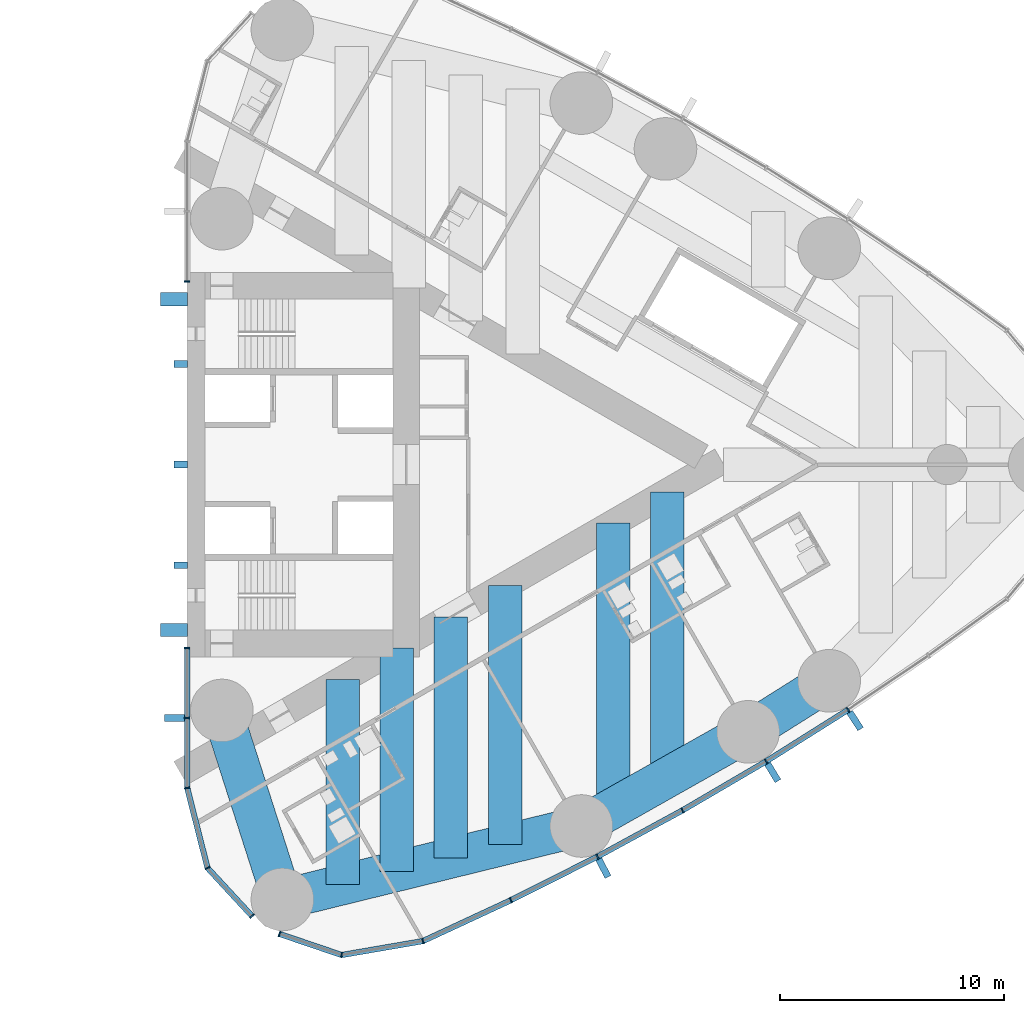
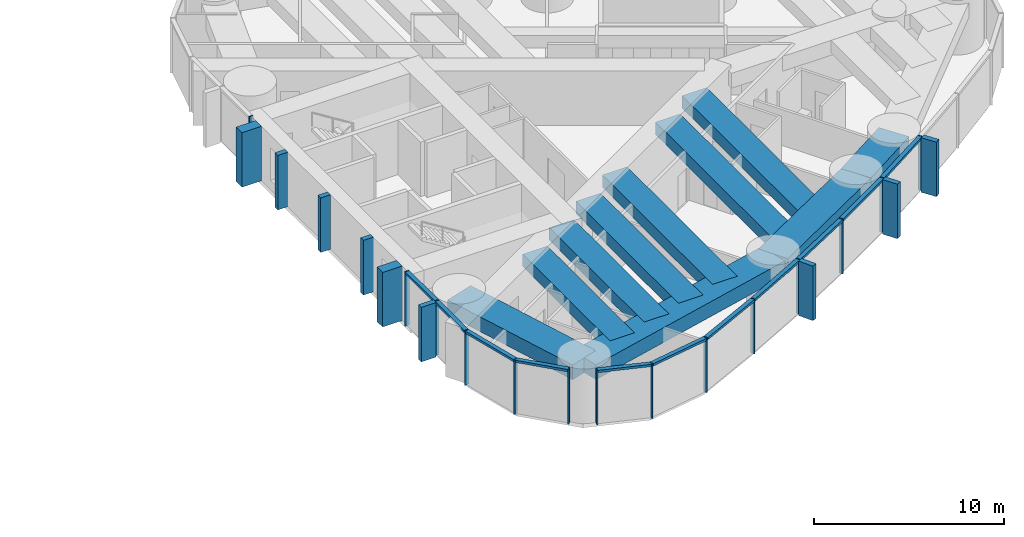
# One storey, part 6 of 19: 34 members, 10 beams, 3 elements without a shape of their own.
"""IFC4 building model written with IfcOpenShell, lengths in metres."""

import ifcopenshell
import ifcopenshell.guid

model = None  # the IFC model being written
_history = None  # IfcOwnerHistory: only IFC2X3 demands one
_inside = {}  # id of a spatial element -> (the spatial element, [elements in it])
_under = {}  # id of a project, library or spatial element -> (it, [spatial elements below it])
_declared = {}  # id of a project -> (the project, [libraries it declares])
_typed = {}  # id of a type object -> (the type object, [elements of that type])
_made_of = {}  # id of a material, layer set ... -> (it, [elements and type objects made of it])


def new_model(schema):
    """Start an empty IFC model of exactly this schema.

    Asked for "IFC4X3", IfcOpenShell would pick the latest addendum, in which some entities
    have other attributes; the version numbers below select the first issue.
    IFC2X3 requires an IfcOwnerHistory on every rooted entity: one is made here for all.
    """
    global model, _history
    if schema == "IFC4X3":
        model = ifcopenshell.file(schema_version=(4, 3, 0, 0))
    else:
        model = ifcopenshell.file(schema=schema)
    _inside.clear()
    _under.clear()
    _declared.clear()
    _typed.clear()
    _made_of.clear()
    _history = None
    if model.schema == "IFC2X3":
        org = make("IfcOrganization", Name="unknown")
        user = make(
            "IfcPersonAndOrganization",
            ThePerson=make("IfcPerson", FamilyName="unknown"),
            TheOrganization=org,
        )
        app = make(
            "IfcApplication",
            ApplicationDeveloper=org,
            Version="unknown",
            ApplicationFullName="unknown",
            ApplicationIdentifier="unknown",
        )
        _history = make(
            "IfcOwnerHistory",
            OwningUser=user,
            OwningApplication=app,
            ChangeAction="ADDED",
            CreationDate=0,
        )
    return model


def make(cls, **values):
    """One entity of the class cls with the attributes given. An attribute that is None is left unset."""
    return model.create_entity(
        cls, **{name: value for name, value in values.items() if value is not None}
    )


def rooted(cls, **values):
    """An entity with a GlobalId (a new one), such as an element, a storey or a relation."""
    return make(cls, GlobalId=ifcopenshell.guid.new(), OwnerHistory=_history, **values)


def si_unit(unit_type, name, prefix=None):
    """IfcSIUnit, for example si_unit("LENGTHUNIT", "METRE", prefix="MILLI")."""
    return make("IfcSIUnit", UnitType=unit_type, Prefix=prefix, Name=name)


def assignment(units):
    """IfcUnitAssignment: the units of a project."""
    return None if units is None else make("IfcUnitAssignment", Units=units)


def point(xyz):
    """IfcCartesianPoint."""
    return None if xyz is None else make("IfcCartesianPoint", Coordinates=xyz)


def direction(xyz):
    """IfcDirection."""
    return None if xyz is None else make("IfcDirection", DirectionRatios=xyz)


def frame(location, z_axis=None, x_axis=None):
    """IfcAxis2Placement3D, a coordinate frame: its origin and axes. An axis left out is left unset."""
    return make(
        "IfcAxis2Placement3D",
        Location=point(location),
        Axis=direction(z_axis),
        RefDirection=direction(x_axis),
    )


def frame_2d(location, x_axis=None):
    """IfcAxis2Placement2D, a coordinate frame in the plane: its origin and x axis."""
    return make(
        "IfcAxis2Placement2D", Location=point(location), RefDirection=direction(x_axis)
    )


def origin():
    """The frame at (0, 0, 0) with its axes left unset."""
    return frame((0.0, 0.0, 0.0))


def origin_2d():
    """The frame at (0, 0) in the plane with its x axis left unset."""
    return frame_2d((0.0, 0.0))


def place(relative_to, where):
    """IfcLocalPlacement: puts the frame where relative to a parent placement (None: the world)."""
    return make(
        "IfcLocalPlacement", PlacementRelTo=relative_to, RelativePlacement=where
    )


def context(
    kind, dimensions, precision=None, world=None, true_north=None, identifier=None
):
    """IfcGeometricRepresentationContext, for example the 3D "Model" context."""
    return make(
        "IfcGeometricRepresentationContext",
        ContextIdentifier=identifier,
        ContextType=kind,
        CoordinateSpaceDimension=dimensions,
        Precision=precision,
        WorldCoordinateSystem=world,
        TrueNorth=true_north,
    )


def subcontext(parent, identifier, kind, view, scale=None):
    """IfcGeometricRepresentationSubContext, for example "Body" below "Model"."""
    return make(
        "IfcGeometricRepresentationSubContext",
        ContextIdentifier=identifier,
        ContextType=kind,
        ParentContext=parent,
        TargetScale=scale,
        TargetView=view,
    )


def project(units=None, contexts=None):
    """IfcProject with its units and contexts."""
    return rooted(
        "IfcProject",
        Name="project",
        RepresentationContexts=contexts,
        UnitsInContext=assignment(units),
    )


def spatial(cls, under=None, at=None, **own):
    """A site, building, storey or space (cls), placed at a placement, below another one or the project."""
    s = rooted(cls, ObjectPlacement=at, **own)
    if under is not None:
        _under.setdefault(under.id(), (under, []))[1].append(s)
    return s


def profile(cls, at=None, kind="AREA", **sizes):
    """A parametric profile (cls). Its sizes go by their IFC names, for example OverallWidth=200.0."""
    return make(cls, ProfileType=kind, Position=at, **sizes)


def rectangle(**sizes):
    """IfcRectangleProfileDef."""
    return profile("IfcRectangleProfileDef", **sizes)


def extrude(swept, where, along, depth):
    """IfcExtrudedAreaSolid: the profile swept, set in the frame where, extruded along a direction by depth."""
    return make(
        "IfcExtrudedAreaSolid",
        SweptArea=swept,
        Position=where,
        ExtrudedDirection=direction(along),
        Depth=depth,
    )


def shape(context_of_items, identifier, shape_type, items):
    """IfcShapeRepresentation: the items that make up one representation, for example the "Body"."""
    return make(
        "IfcShapeRepresentation",
        ContextOfItems=context_of_items,
        RepresentationIdentifier=identifier,
        RepresentationType=shape_type,
        Items=items,
    )


def material(Name=None, Category=None):
    """IfcMaterial."""
    return make("IfcMaterial", Name=Name, Category=Category)


def material_profile(
    of_material, cross_section, Name=None, Category=None, Priority=None
):
    """IfcMaterialProfile: a cross section and its material."""
    return make(
        "IfcMaterialProfile",
        Name=Name,
        Material=of_material,
        Profile=cross_section,
        Priority=Priority,
        Category=Category,
    )


def profile_set(profiles, Name=None, composite=None):
    """IfcMaterialProfileSet."""
    return make(
        "IfcMaterialProfileSet",
        Name=Name,
        MaterialProfiles=profiles,
        CompositeProfile=composite,
    )


def made_of(thing, what):
    """Note that an element or type object is made of a material, layer set ...; save() writes the relation."""
    if what is not None:
        _made_of.setdefault(what.id(), (what, []))[1].append(thing)
    return thing


def type_object(cls, material=None, **own):
    """A type object (cls), such as IfcWallType, which elements share."""
    return made_of(rooted(cls, **own), material)


def element(
    cls,
    number,
    at=None,
    inside=None,
    cuts=None,
    type_object=None,
    material=None,
    context=None,
    identifier="Body",
    shape_type=None,
    held_by="IfcProductDefinitionShape",
    body=None,
    shapes=None,
    **own,
):
    """One element of the class cls, such as IfcWall. Its Tag is "e" and its number.

    at: its placement. inside: the storey or other place that contains it. cuts: it is an
    opening in that element (IfcRelVoidsElement). A single representation is given by context,
    identifier, shape_type and body (its items); several are given by shapes. held_by: the class
    of the entity that holds the representations. save() writes the other relations.
    """
    e = rooted(cls, Tag="e%d" % number, ObjectPlacement=at, **own)
    if body is not None:
        shapes = [shape(context, identifier, shape_type, body)]
    if shapes is not None:
        e.Representation = make(held_by, Representations=shapes)
    if inside is not None:
        _inside.setdefault(inside.id(), (inside, []))[1].append(e)
    if cuts is not None:
        rooted(
            "IfcRelVoidsElement", RelatingBuildingElement=cuts, RelatedOpeningElement=e
        )
    if type_object is not None:
        _typed.setdefault(type_object.id(), (type_object, []))[1].append(e)
    return made_of(e, material)


def aggregate(whole, parts):
    """IfcRelAggregates: a whole, such as a stair, and the parts it consists of."""
    return rooted("IfcRelAggregates", RelatingObject=whole, RelatedObjects=parts)


def save(model, path):
    """Write the relations noted so far, then the file.

    IfcRelAggregates (storeys below a building ...), IfcRelContainedInSpatialStructure (elements
    in a storey), IfcRelDefinesByType, IfcRelAssociatesMaterial and IfcRelDeclares: one each for
    every whole, place, type object, material and project.
    """
    for whole, parts in _under.values():
        aggregate(whole, parts)
    for where, things in _inside.values():
        rooted(
            "IfcRelContainedInSpatialStructure",
            RelatedElements=things,
            RelatingStructure=where,
        )
    for kind, things in _typed.values():
        rooted("IfcRelDefinesByType", RelatedObjects=things, RelatingType=kind)
    for what, things in _made_of.values():
        rooted("IfcRelAssociatesMaterial", RelatedObjects=things, RelatingMaterial=what)
    for by, libraries in _declared.values():
        rooted("IfcRelDeclares", RelatingContext=by, RelatedDefinitions=libraries)
    model.write(path)


model = new_model("IFC4")

# Units and contexts
model_context = context("Model", 3, precision=1e-05, world=origin(), true_north=direction((0.0, 1.0)))
body_context = subcontext(model_context, "Body", "Model", "MODEL_VIEW")
ifc_project = project(units=[si_unit("LENGTHUNIT", "METRE"), si_unit("AREAUNIT", "SQUARE_METRE"), si_unit("VOLUMEUNIT", "CUBIC_METRE"), si_unit("PLANEANGLEUNIT", "RADIAN"), si_unit("MASSUNIT", "GRAM", prefix="KILO")], contexts=[model_context])

# Site, building, storey
site_placement = place(None, origin())
site = spatial("IfcSite", under=ifc_project, at=site_placement, CompositionType="ELEMENT")
building_placement = place(site_placement, origin())
building = spatial("IfcBuilding", under=site, at=building_placement, Name="Lancet Gate Hotel", CompositionType="ELEMENT")
storey_placement = place(building_placement, frame((0.0, 0.0, 170.300048828125)))
storey = spatial("IfcBuildingStorey", under=building, at=storey_placement, Name="L45", CompositionType="ELEMENT", Elevation=170.300048828125)

# Curtain wall, members
ifc_material_1 = material(Name="Aluminium curtain wall", Category="aluminium")
curtain_wall_type = type_object("IfcCurtainWallType", Name="Tower unitised curtain wall", PredefinedType="USERDEFINED", material=ifc_material_1)
curtain_wall_1_placement = place(storey_placement, origin())
curtain_wall_1 = element("IfcCurtainWall", 1, at=curtain_wall_1_placement, inside=storey, type_object=curtain_wall_type, Name="T2 L45 curtain wall 1", ObjectType="UNITISED CURTAIN WALL", PredefinedType="USERDEFINED")
ifc_material_2 = material(Name="Aluminium mullion", Category="aluminium")
ifc_material_profile_1 = material_profile(ifc_material_2, rectangle(XDim=0.06494140625, YDim=0.25, at=origin_2d()), Name="MULLION 65x250")
ifc_profile_set_1 = profile_set([ifc_material_profile_1], Name="Aluminium mullion")
member_type_1 = type_object("IfcMemberType", Name="Aluminium mullion 65x250", PredefinedType="MULLION", material=ifc_profile_set_1)
member_1_placement = place(storey_placement, frame((27.5, -8.199951171875, 0.0), z_axis=(0.0, 0.0, 1.0), x_axis=(0.0, -1.0, 0.0)))
member_1 = element("IfcMember", 2, at=member_1_placement, type_object=member_type_1, Name="T2 L45 curtain wall 1 mullion 1", PredefinedType="MULLION", context=body_context, shape_type="SweptSolid", body=[
    extrude(rectangle(XDim=0.06494140625, YDim=0.25, at=origin_2d()), origin(), (0.0, 0.0, 1.0), 3.5),
])
member_2_placement = place(storey_placement, frame((27.5, -11.332763671875, 0.0), z_axis=(0.0, 0.0, 1.0), x_axis=(0.0, -1.0, 0.0)))
member_2 = element("IfcMember", 3, at=member_2_placement, type_object=member_type_1, Name="T2 L45 curtain wall 1 mullion 2", PredefinedType="MULLION", context=body_context, shape_type="SweptSolid", body=[
    extrude(rectangle(XDim=0.06494140625, YDim=0.25, at=origin_2d()), origin(), (0.0, 0.0, 1.0), 3.5),
])
member_3_placement = place(storey_placement, frame((27.5, -14.465576171875, 0.0), z_axis=(0.0, 0.0, 1.0), x_axis=(0.134206524909, -0.990953383703, 0.0)))
member_3 = element("IfcMember", 4, at=member_3_placement, type_object=member_type_1, Name="T2 L45 curtain wall 1 mullion 3", PredefinedType="MULLION", context=body_context, shape_type="SweptSolid", body=[
    extrude(rectangle(XDim=0.06494140625, YDim=0.25, at=origin_2d()), origin(), (0.0, 0.0, 1.0), 3.5),
])
member_4_placement = place(storey_placement, frame((28.408935546875, -18.04443359375, 0.0), z_axis=(0.0, 0.0, 1.0), x_axis=(0.451505925065, -0.892268120932, 0.0)))
member_4 = element("IfcMember", 5, at=member_4_placement, type_object=member_type_1, Name="T2 L45 curtain wall 1 mullion 4", PredefinedType="MULLION", context=body_context, shape_type="SweptSolid", body=[
    extrude(rectangle(XDim=0.06494140625, YDim=0.25, at=origin_2d()), origin(), (0.0, 0.0, 1.0), 3.5),
])
member_5_placement = place(storey_placement, frame((30.40185546875, -20.199951171875, 0.0), z_axis=(0.0, 0.0, 1.0), x_axis=(0.67883123083, -0.734294327943, 0.0)))
member_5 = element("IfcMember", 6, at=member_5_placement, type_object=member_type_1, Name="T2 L45 curtain wall 1 mullion 5", PredefinedType="MULLION", context=body_context, shape_type="SweptSolid", body=[
    extrude(rectangle(XDim=0.06494140625, YDim=0.25, at=origin_2d()), origin(), (0.0, 0.0, 1.0), 3.5),
])

curtain_wall_2_placement = place(storey_placement, origin())
curtain_wall_2 = element("IfcCurtainWall", 7, at=curtain_wall_2_placement, inside=storey, type_object=curtain_wall_type, Name="T2 L45 curtain wall 2", ObjectType="UNITISED CURTAIN WALL", PredefinedType="USERDEFINED")
member_6_placement = place(storey_placement, frame((31.631591796875, -20.998779296875, 0.0), z_axis=(0.0, 0.0, 1.0), x_axis=(0.946952368511, -0.321373943827, 0.0)))
member_6 = element("IfcMember", 8, at=member_6_placement, type_object=member_type_1, Name="T2 L45 curtain wall 2 mullion 1", PredefinedType="MULLION", context=body_context, shape_type="SweptSolid", body=[
    extrude(rectangle(XDim=0.06494140625, YDim=0.25, at=origin_2d()), origin(), (0.0, 0.0, 1.0), 3.5),
])
member_7_placement = place(storey_placement, frame((34.412109375, -21.9423828125, 0.0), z_axis=(0.0, 0.0, 1.0), x_axis=(0.99877556888, -0.049470829879, 0.0)))
member_7 = element("IfcMember", 9, at=member_7_placement, type_object=member_type_1, Name="T2 L45 curtain wall 2 mullion 2", PredefinedType="MULLION", context=body_context, shape_type="SweptSolid", body=[
    extrude(rectangle(XDim=0.06494140625, YDim=0.25, at=origin_2d()), origin(), (0.0, 0.0, 1.0), 3.5),
])
member_8_placement = place(storey_placement, frame((38.05126953125, -21.31689453125, 0.0), z_axis=(0.0, 0.0, 1.0), x_axis=(0.951355493327, 0.308095318555, 0.0)))
member_8 = element("IfcMember", 10, at=member_8_placement, type_object=member_type_1, Name="T2 L45 curtain wall 2 mullion 3", PredefinedType="MULLION", context=body_context, shape_type="SweptSolid", body=[
    extrude(rectangle(XDim=0.06494140625, YDim=0.25, at=origin_2d()), origin(), (0.0, 0.0, 1.0), 3.5),
])
member_9_placement = place(storey_placement, frame((41.98193359375, -19.490966796875, 0.0), z_axis=(0.0, 0.0, 1.0), x_axis=(0.900141333422, 0.435597956681, 0.0)))
member_9 = element("IfcMember", 11, at=member_9_placement, type_object=member_type_1, Name="T2 L45 curtain wall 2 mullion 4", PredefinedType="MULLION", context=body_context, shape_type="SweptSolid", body=[
    extrude(rectangle(XDim=0.06494140625, YDim=0.25, at=origin_2d()), origin(), (0.0, 0.0, 1.0), 3.5),
])
member_10_placement = place(storey_placement, frame((45.8525390625, -17.54150390625, 0.0), z_axis=(0.0, 0.0, 1.0), x_axis=(0.885877049989, 0.463920092584, 0.0)))
member_10 = element("IfcMember", 12, at=member_10_placement, type_object=member_type_1, Name="T2 L45 curtain wall 2 mullion 5", PredefinedType="MULLION", context=body_context, shape_type="SweptSolid", body=[
    extrude(rectangle(XDim=0.06494140625, YDim=0.25, at=origin_2d()), origin(), (0.0, 0.0, 1.0), 3.5),
])
member_11_placement = place(storey_placement, frame((49.65966796875, -15.47021484375, 0.0), z_axis=(0.0, 0.0, 1.0), x_axis=(0.870721916932, 0.491775704336, 0.0)))
member_11 = element("IfcMember", 13, at=member_11_placement, type_object=member_type_1, Name="T2 L45 curtain wall 2 mullion 6", PredefinedType="MULLION", context=body_context, shape_type="SweptSolid", body=[
    extrude(rectangle(XDim=0.06494140625, YDim=0.25, at=origin_2d()), origin(), (0.0, 0.0, 1.0), 3.5),
])
member_12_placement = place(storey_placement, frame((53.39892578125, -13.279541015625, 0.0), z_axis=(0.0, 0.0, 1.0), x_axis=(0.854691174453, 0.519136779965, 0.0)))
member_12 = element("IfcMember", 14, at=member_12_placement, type_object=member_type_1, Name="T2 L45 curtain wall 2 mullion 7", PredefinedType="MULLION", context=body_context, shape_type="SweptSolid", body=[
    extrude(rectangle(XDim=0.06494140625, YDim=0.25, at=origin_2d()), origin(), (0.0, 0.0, 1.0), 3.5),
])
member_13_placement = place(storey_placement, frame((57.067138671875, -10.970947265625, 0.0), z_axis=(0.0, 0.0, 1.0), x_axis=(0.837800943278, 0.545975804815, 0.0)))
member_13 = element("IfcMember", 15, at=member_13_placement, type_object=member_type_1, Name="T2 L45 curtain wall 2 mullion 8", PredefinedType="MULLION", context=body_context, shape_type="SweptSolid", body=[
    extrude(rectangle(XDim=0.06494140625, YDim=0.25, at=origin_2d()), origin(), (0.0, 0.0, 1.0), 3.5),
])

# Curtain wall, member
curtain_wall_3_placement = place(storey_placement, origin())
curtain_wall_3 = element("IfcCurtainWall", 16, at=curtain_wall_3_placement, inside=storey, type_object=curtain_wall_type, Name="T2 L45 curtain wall 4", ObjectType="UNITISED CURTAIN WALL", PredefinedType="USERDEFINED")
member_14_placement = place(storey_placement, frame((27.5, 8.199951171875, 0.0), z_axis=(0.0, 0.0, 1.0), x_axis=(0.0, -1.0, 0.0)))
member_14 = element("IfcMember", 17, at=member_14_placement, type_object=member_type_1, Name="T2 L45 curtain wall 4 mullion 5", PredefinedType="MULLION", context=body_context, shape_type="SweptSolid", body=[
    extrude(rectangle(XDim=0.06494140625, YDim=0.25, at=origin_2d()), origin(), (0.0, 0.0, 1.0), 3.5),
])
aggregate(curtain_wall_3, [member_14])

# Member
ifc_material_3 = material(Name="Aluminium transom", Category="aluminium")
ifc_material_profile_2 = material_profile(ifc_material_3, rectangle(XDim=0.25, YDim=0.14990234375, at=origin_2d()), Name="TRANSOM 250x150")
ifc_profile_set_2 = profile_set([ifc_material_profile_2], Name="Aluminium transom")
member_type_2 = type_object("IfcMemberType", Name="Aluminium transom 250x150", PredefinedType="USERDEFINED", material=ifc_profile_set_2)
member_15_placement = place(storey_placement, frame((27.5, -8.232421875, 3.425048828125), z_axis=(0.0, -1.0, 0.0), x_axis=(1.0, 0.0, 0.0)))
member_15 = element("IfcMember", 18, at=member_15_placement, type_object=member_type_2, Name="T2 L45 curtain wall 1 transom 1", ObjectType="TRANSOM", PredefinedType="USERDEFINED", context=body_context, shape_type="SweptSolid", body=[
    extrude(rectangle(XDim=0.25, YDim=0.14990234375, at=origin_2d()), origin(), (0.0, 0.0, 1.0), 3.06787109375),
])

member_16_placement = place(storey_placement, frame((27.5, -11.365234375, 3.425048828125), z_axis=(0.0, -1.0, 0.0), x_axis=(1.0, 0.0, 0.0)))
member_16 = element("IfcMember", 19, at=member_16_placement, type_object=member_type_2, Name="T2 L45 curtain wall 1 transom 2", ObjectType="TRANSOM", PredefinedType="USERDEFINED", context=body_context, shape_type="SweptSolid", body=[
    extrude(rectangle(XDim=0.25, YDim=0.14990234375, at=origin_2d()), origin(), (0.0, 0.0, 1.0), 3.06787109375),
])

member_17_placement = place(storey_placement, frame((27.508056640625, -14.4970703125, 3.425048828125), z_axis=(0.246128756616, -0.969237140831, 0.0), x_axis=(0.969237140831, 0.246128756616, 0.0)))
member_17 = element("IfcMember", 20, at=member_17_placement, type_object=member_type_2, Name="T2 L45 curtain wall 1 transom 3", ObjectType="TRANSOM", PredefinedType="USERDEFINED", context=body_context, shape_type="SweptSolid", body=[
    extrude(rectangle(XDim=0.25, YDim=0.14990234375, at=origin_2d()), origin(), (0.0, 0.0, 1.0), 3.62744140625),
])

member_18_placement = place(storey_placement, frame((28.43115234375, -18.068359375, 3.425048828125), z_axis=(0.678792146129, -0.734330458549, 0.0), x_axis=(0.734330458549, 0.678792146129, 0.0)))
member_18 = element("IfcMember", 21, at=member_18_placement, type_object=member_type_2, Name="T2 L45 curtain wall 1 transom 4", ObjectType="TRANSOM", PredefinedType="USERDEFINED", context=body_context, shape_type="SweptSolid", body=[
    extrude(rectangle(XDim=0.25, YDim=0.14990234375, at=origin_2d()), origin(), (0.0, 0.0, 1.0), 2.87060546875),
])

member_19_placement = place(storey_placement, frame((31.662353515625, -21.00927734375, 3.425048828125), z_axis=(0.946943122832, -0.321401185625, 0.0), x_axis=(0.321401185625, 0.946943122832, 0.0)))
member_19 = element("IfcMember", 22, at=member_19_placement, type_object=member_type_2, Name="T2 L45 curtain wall 2 transom 1", ObjectType="TRANSOM", PredefinedType="USERDEFINED", context=body_context, shape_type="SweptSolid", body=[
    extrude(rectangle(XDim=0.25, YDim=0.14990234375, at=origin_2d()), origin(), (0.0, 0.0, 1.0), 2.871337890625),
])

member_20_placement = place(storey_placement, frame((34.444091796875, -21.93701171875, 3.425048828125), z_axis=(0.985536950873, 0.169460669373, 0.0), x_axis=(-0.169460669373, 0.985536950873, 0.0)))
member_20 = element("IfcMember", 23, at=member_20_placement, type_object=member_type_2, Name="T2 L45 curtain wall 2 transom 2", ObjectType="TRANSOM", PredefinedType="USERDEFINED", context=body_context, shape_type="SweptSolid", body=[
    extrude(rectangle(XDim=0.25, YDim=0.14990234375, at=origin_2d()), origin(), (0.0, 0.0, 1.0), 3.627685546875),
])

member_21_placement = place(storey_placement, frame((38.080810546875, -21.30322265625, 3.425048828125), z_axis=(0.906913768492, 0.421316290357, 0.0), x_axis=(-0.421316290357, 0.906913768492, 0.0)))
member_21 = element("IfcMember", 24, at=member_21_placement, type_object=member_type_2, Name="T2 L45 curtain wall 2 transom 3", ObjectType="TRANSOM", PredefinedType="USERDEFINED", context=body_context, shape_type="SweptSolid", body=[
    extrude(rectangle(XDim=0.25, YDim=0.14990234375, at=origin_2d()), origin(), (0.0, 0.0, 1.0), 4.26904296875),
])

member_22_placement = place(storey_placement, frame((42.010986328125, -19.476318359375, 3.425048828125), z_axis=(0.893130969207, 0.449796700571, 0.0), x_axis=(-0.449796700571, 0.893130969207, 0.0)))
member_22 = element("IfcMember", 25, at=member_22_placement, type_object=member_type_2, Name="T2 L45 curtain wall 2 transom 4", ObjectType="TRANSOM", PredefinedType="USERDEFINED", context=body_context, shape_type="SweptSolid", body=[
    extrude(rectangle(XDim=0.25, YDim=0.14990234375, at=origin_2d()), origin(), (0.0, 0.0, 1.0), 4.26904296875),
])

member_23_placement = place(storey_placement, frame((45.881103515625, -17.526123046875, 3.425048828125), z_axis=(0.878404302735, 0.477918278513, 0.0), x_axis=(-0.477918278513, 0.878404302735, 0.0)))
member_23 = element("IfcMember", 26, at=member_23_placement, type_object=member_type_2, Name="T2 L45 curtain wall 2 transom 5", ObjectType="TRANSOM", PredefinedType="USERDEFINED", context=body_context, shape_type="SweptSolid", body=[
    extrude(rectangle(XDim=0.25, YDim=0.14990234375, at=origin_2d()), origin(), (0.0, 0.0, 1.0), 4.26904296875),
])

member_24_placement = place(storey_placement, frame((49.687744140625, -15.453857421875, 3.425048828125), z_axis=(0.862825279032, 0.505502262966, 0.0), x_axis=(-0.505502262966, 0.862825279032, 0.0)))
member_24 = element("IfcMember", 27, at=member_24_placement, type_object=member_type_2, Name="T2 L45 curtain wall 2 transom 6", ObjectType="TRANSOM", PredefinedType="USERDEFINED", context=body_context, shape_type="SweptSolid", body=[
    extrude(rectangle(XDim=0.25, YDim=0.14990234375, at=origin_2d()), origin(), (0.0, 0.0, 1.0), 4.26904296875),
])

member_25_placement = place(storey_placement, frame((53.426513671875, -13.26220703125, 3.425048828125), z_axis=(0.846333101657, 0.532653997488, 0.0), x_axis=(-0.532653997488, 0.846333101657, 0.0)))
member_25 = element("IfcMember", 28, at=member_25_placement, type_object=member_type_2, Name="T2 L45 curtain wall 2 transom 7", ObjectType="TRANSOM", PredefinedType="USERDEFINED", context=body_context, shape_type="SweptSolid", body=[
    extrude(rectangle(XDim=0.25, YDim=0.14990234375, at=origin_2d()), origin(), (0.0, 0.0, 1.0), 4.26904296875),
])

# Beams
ifc_material_4 = material(Name="Concrete C50/60", Category="concrete")
ifc_material_profile_3 = material_profile(ifc_material_4, rectangle(XDim=1.800048828125, YDim=0.949951171875, at=origin_2d()), Name="RC 1800x950")
ifc_profile_set_3 = profile_set([ifc_material_profile_3], Name="Concrete C50/60")
beam_type_1 = type_object("IfcBeamType", Name="Edge beam RC 1800x950", PredefinedType="SPANDREL", material=ifc_profile_set_3)
beam_1_placement = place(storey_placement, frame((31.759765625, -19.455810546875, 2.77490234375), z_axis=(0.971093253227, 0.238700426344, 0.0), x_axis=(-0.238700426344, 0.971093253227, 0.0)))
element("IfcBeam", 29, at=beam_1_placement, inside=storey, type_object=beam_type_1, Name="T2 edge beam EB1 L45", PredefinedType="SPANDREL", context=body_context, shape_type="SweptSolid", body=[
    extrude(rectangle(XDim=1.800048828125, YDim=0.949951171875, at=origin_2d()), origin(), (0.0, 0.0, 1.0), 13.77197265625),
])
beam_2_placement = place(storey_placement, frame((45.133544921875, -16.16845703125, 2.77490234375), z_axis=(0.870721990329, 0.491775574381, 0.0), x_axis=(-0.491775574381, 0.870721990329, 0.0)))
element("IfcBeam", 30, at=beam_2_placement, inside=storey, type_object=beam_type_1, Name="T2 edge beam EB1 L45", PredefinedType="SPANDREL", context=body_context, shape_type="SweptSolid", body=[
    extrude(rectangle(XDim=1.800048828125, YDim=0.949951171875, at=origin_2d()), origin(), (0.0, 0.0, 1.0), 8.568603515625),
])
beam_3_placement = place(storey_placement, frame((52.594482421875, -11.95458984375, 2.77490234375), z_axis=(0.846348902569, 0.532628890617, 0.0), x_axis=(-0.532628890617, 0.846348902569, 0.0)))
element("IfcBeam", 31, at=beam_3_placement, inside=storey, type_object=beam_type_1, Name="T2 edge beam EB1 L45", PredefinedType="SPANDREL", context=body_context, shape_type="SweptSolid", body=[
    extrude(rectangle(XDim=1.800048828125, YDim=0.949951171875, at=origin_2d()), origin(), (0.0, 0.0, 1.0), 4.284912109375),
])
beam_4_placement = place(storey_placement, frame((31.759765625, -19.455810546875, 2.77490234375), z_axis=(-0.305169772986, 0.952297962644, 0.0), x_axis=(-0.952297962644, -0.305169772986, 0.0)))
element("IfcBeam", 32, at=beam_4_placement, inside=storey, type_object=beam_type_1, Name="T2 edge beam EB1 L45", PredefinedType="SPANDREL", context=body_context, shape_type="SweptSolid", body=[
    extrude(rectangle(XDim=1.800048828125, YDim=0.949951171875, at=origin_2d()), origin(), (0.0, 0.0, 1.0), 8.87939453125),
])

# Members
ifc_material_5 = material(Name="Concrete C60/75", Category="concrete")
ifc_material_profile_4 = material_profile(ifc_material_5, rectangle(XDim=0.60009765625, YDim=1.199951171875, at=origin_2d()), Name="FIN 600x1200")
ifc_profile_set_4 = profile_set([ifc_material_profile_4], Name="Concrete C60/75")
member_type_3 = type_object("IfcMemberType", Name="Exposed concrete buttress pilaster 600x1200", PredefinedType="USERDEFINED", material=ifc_profile_set_4)
for number, where, z_axis, x_axis, name in (
    (33, (26.909912109375, -7.39990234375, 0.0), (0.0, 0.0, 1.0), (0.0, 1.0, 0.0), "T2 buttress pilaster S L45"),
    (34, (26.909912109375, 7.39990234375, 0.0), (0.0, 0.0, 1.0), (0.0, 1.0, 0.0), "T2 buttress pilaster N L45"),
):
    element("IfcMember", number, at=place(storey_placement, frame(where, z_axis=z_axis, x_axis=x_axis)), inside=storey, type_object=member_type_3, Name=name, ObjectType="FIN", PredefinedType="USERDEFINED", context=body_context, shape_type="SweptSolid", body=[
        extrude(rectangle(XDim=0.60009765625, YDim=1.199951171875, at=origin_2d()), origin(), (0.0, 0.0, 1.0), 3.5),
    ])

# Member
ifc_material_6 = material(Name="Precast concrete C50/60", Category="concrete")
ifc_material_profile_5 = material_profile(ifc_material_6, rectangle(XDim=0.300048828125, YDim=0.89990234375, at=origin_2d()), Name="FIN 300x900")
ifc_profile_set_5 = profile_set([ifc_material_profile_5], Name="Precast concrete C50/60")
member_type_4 = type_object("IfcMemberType", Name="Exposed concrete fin 300x900", PredefinedType="USERDEFINED", material=ifc_profile_set_5)
member_26_placement = place(storey_placement, frame((26.925048828125, -11.332763671875, 0.0), z_axis=(0.0, 0.0, 1.0), x_axis=(0.0, -1.0, 0.0)))
member_26 = element("IfcMember", 35, at=member_26_placement, type_object=member_type_4, Name="T2 L45 curtain wall 1 fin 2", ObjectType="FIN", PredefinedType="USERDEFINED", context=body_context, shape_type="SweptSolid", body=[
    extrude(rectangle(XDim=0.300048828125, YDim=0.89990234375, at=origin_2d()), origin(), (0.0, 0.0, 1.0), 3.5),
])

aggregate(curtain_wall_1, [member_1, member_2, member_26, member_3, member_4, member_5, member_15, member_16, member_17, member_18])

member_27_placement = place(storey_placement, frame((46.119384765625, -18.051025390625, 0.0), z_axis=(0.0, 0.0, 1.0), x_axis=(0.885877049989, 0.463920092584, 0.0)))
member_27 = element("IfcMember", 36, at=member_27_placement, type_object=member_type_4, Name="T2 L45 curtain wall 2 fin 5", ObjectType="FIN", PredefinedType="USERDEFINED", context=body_context, shape_type="SweptSolid", body=[
    extrude(rectangle(XDim=0.300048828125, YDim=0.89990234375, at=origin_2d()), origin(), (0.0, 0.0, 1.0), 3.5),
])

member_28_placement = place(storey_placement, frame((53.697509765625, -13.770751953125, 0.0), z_axis=(0.0, 0.0, 1.0), x_axis=(0.854691174453, 0.519136779965, 0.0)))
member_28 = element("IfcMember", 37, at=member_28_placement, type_object=member_type_4, Name="T2 L45 curtain wall 2 fin 7", ObjectType="FIN", PredefinedType="USERDEFINED", context=body_context, shape_type="SweptSolid", body=[
    extrude(rectangle(XDim=0.300048828125, YDim=0.89990234375, at=origin_2d()), origin(), (0.0, 0.0, 1.0), 3.5),
])

member_29_placement = place(storey_placement, frame((57.381103515625, -11.452880859375, 0.0), z_axis=(0.0, 0.0, 1.0), x_axis=(0.837800943278, 0.545975804815, 0.0)))
member_29 = element("IfcMember", 38, at=member_29_placement, type_object=member_type_4, Name="T2 L45 curtain wall 2 fin 8", ObjectType="FIN", PredefinedType="USERDEFINED", context=body_context, shape_type="SweptSolid", body=[
    extrude(rectangle(XDim=0.300048828125, YDim=0.89990234375, at=origin_2d()), origin(), (0.0, 0.0, 1.0), 3.5),
])

aggregate(curtain_wall_2, [member_6, member_7, member_8, member_9, member_10, member_27, member_11, member_12, member_28, member_13, member_29, member_19, member_20, member_21, member_22, member_23, member_24, member_25])

# Members
ifc_material_7 = material(Name="Concrete C60/75", Category="concrete")
ifc_material_profile_6 = material_profile(ifc_material_7, rectangle(XDim=0.300048828125, YDim=0.60009765625, at=origin_2d()), Name="FIN 300x600")
ifc_profile_set_6 = profile_set([ifc_material_profile_6], Name="Concrete C60/75")
member_type_5 = type_object("IfcMemberType", Name="Exposed concrete rib 300x600", PredefinedType="USERDEFINED", material=ifc_profile_set_6)
for number, where, z_axis, x_axis, name in (
    (39, (27.2099609375, -4.5, 0.0), (0.0, 0.0, 1.0), (0.0, 1.0, 0.0), "T2 core rib 1 L45"),
    (40, (27.2099609375, 0.0, 0.0), (0.0, 0.0, 1.0), (0.0, 1.0, 0.0), "T2 core rib 2 L45"),
    (41, (27.2099609375, 4.5, 0.0), (0.0, 0.0, 1.0), (0.0, 1.0, 0.0), "T2 core rib 3 L45"),
):
    element("IfcMember", number, at=place(storey_placement, frame(where, z_axis=z_axis, x_axis=x_axis)), inside=storey, type_object=member_type_5, Name=name, ObjectType="FIN", PredefinedType="USERDEFINED", context=body_context, shape_type="SweptSolid", body=[
        extrude(rectangle(XDim=0.300048828125, YDim=0.60009765625, at=origin_2d()), origin(), (0.0, 0.0, 1.0), 3.5),
    ])

# Beams
ifc_material_8 = material(Name="Concrete C50/60", Category="concrete")
ifc_material_profile_7 = material_profile(ifc_material_8, rectangle(XDim=1.5, YDim=0.800048828125, at=origin_2d()), Name="RC 1500x800")
ifc_profile_set_7 = profile_set([ifc_material_profile_7], Name="Concrete C50/60")
beam_type_2 = type_object("IfcBeamType", Name="Floor beam RC 1500x800", PredefinedType="BEAM", material=ifc_profile_set_7)
beam_5_placement = place(storey_placement, frame((34.460693359375, -18.7919921875, 2.849853515625), z_axis=(0.0, 1.0, 0.0), x_axis=(-1.0, 0.0, 0.0)))
element("IfcBeam", 42, at=beam_5_placement, inside=storey, type_object=beam_type_2, Name="T2 floor beam F01S L45", PredefinedType="BEAM", context=body_context, shape_type="SweptSolid", body=[
    extrude(rectangle(XDim=1.5, YDim=0.800048828125, at=origin_2d()), origin(), (0.0, 0.0, 1.0), 9.18408203125),
])
beam_6_placement = place(storey_placement, frame((36.880859375, -18.197021484375, 2.849853515625), z_axis=(0.0, 1.0, 0.0), x_axis=(-1.0, 0.0, 0.0)))
element("IfcBeam", 43, at=beam_6_placement, inside=storey, type_object=beam_type_2, Name="T2 floor beam F03S L45", PredefinedType="BEAM", context=body_context, shape_type="SweptSolid", body=[
    extrude(rectangle(XDim=1.5, YDim=0.800048828125, at=origin_2d()), origin(), (0.0, 0.0, 1.0), 9.986328125),
])
beam_7_placement = place(storey_placement, frame((39.301025390625, -17.60205078125, 2.849853515625), z_axis=(0.0, 1.0, 0.0), x_axis=(-1.0, 0.0, 0.0)))
element("IfcBeam", 44, at=beam_7_placement, inside=storey, type_object=beam_type_2, Name="T2 floor beam F05S L45", PredefinedType="BEAM", context=body_context, shape_type="SweptSolid", body=[
    extrude(rectangle(XDim=1.5, YDim=0.800048828125, at=origin_2d()), origin(), (0.0, 0.0, 1.0), 10.78857421875),
])
beam_8_placement = place(storey_placement, frame((41.721435546875, -17.007080078125, 2.849853515625), z_axis=(0.0, 1.0, 0.0), x_axis=(-1.0, 0.0, 0.0)))
element("IfcBeam", 45, at=beam_8_placement, inside=storey, type_object=beam_type_2, Name="T2 floor beam F07S L45", PredefinedType="BEAM", context=body_context, shape_type="SweptSolid", body=[
    extrude(rectangle(XDim=1.5, YDim=0.800048828125, at=origin_2d()), origin(), (0.0, 0.0, 1.0), 11.591064453125),
])
beam_9_placement = place(storey_placement, frame((46.561767578125, -15.36181640625, 2.849853515625), z_axis=(0.0, 1.0, 0.0), x_axis=(-1.0, 0.0, 0.0)))
element("IfcBeam", 46, at=beam_9_placement, inside=storey, type_object=beam_type_2, Name="T2 floor beam F09S L45", PredefinedType="BEAM", context=body_context, shape_type="SweptSolid", body=[
    extrude(rectangle(XDim=1.5, YDim=0.800048828125, at=origin_2d()), origin(), (0.0, 0.0, 1.0), 12.740478515625),
])
beam_10_placement = place(storey_placement, frame((48.98193359375, -13.994873046875, 2.849853515625), z_axis=(0.0, 1.0, 0.0), x_axis=(-1.0, 0.0, 0.0)))
element("IfcBeam", 47, at=beam_10_placement, inside=storey, type_object=beam_type_2, Name="T2 floor beam F10S L45", PredefinedType="BEAM", context=body_context, shape_type="SweptSolid", body=[
    extrude(rectangle(XDim=1.5, YDim=0.800048828125, at=origin_2d()), origin(), (0.0, 0.0, 1.0), 12.770751953125),
])

save(model, "model.ifc")
